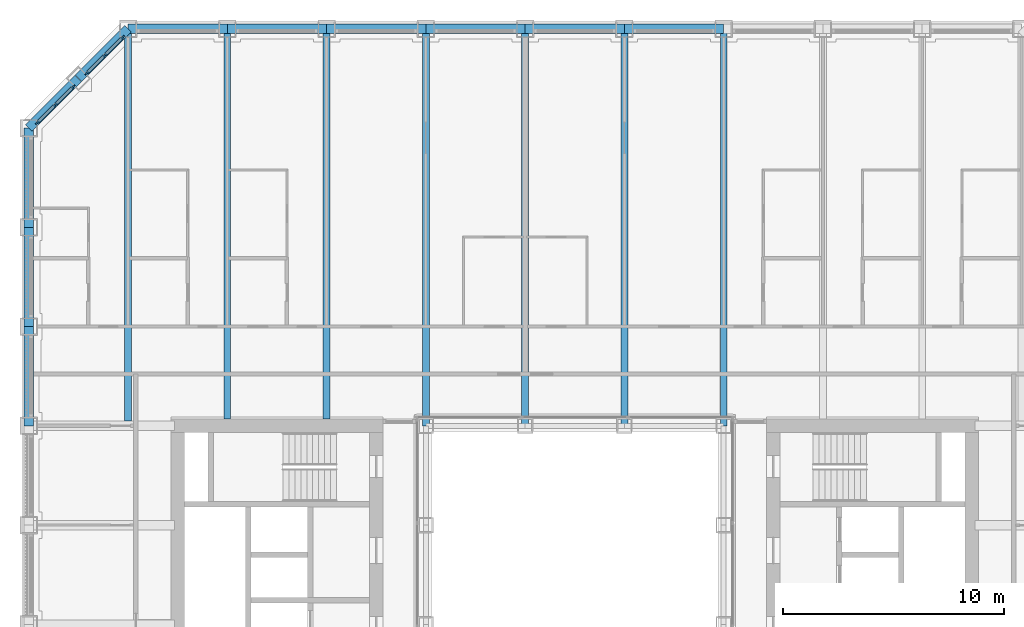
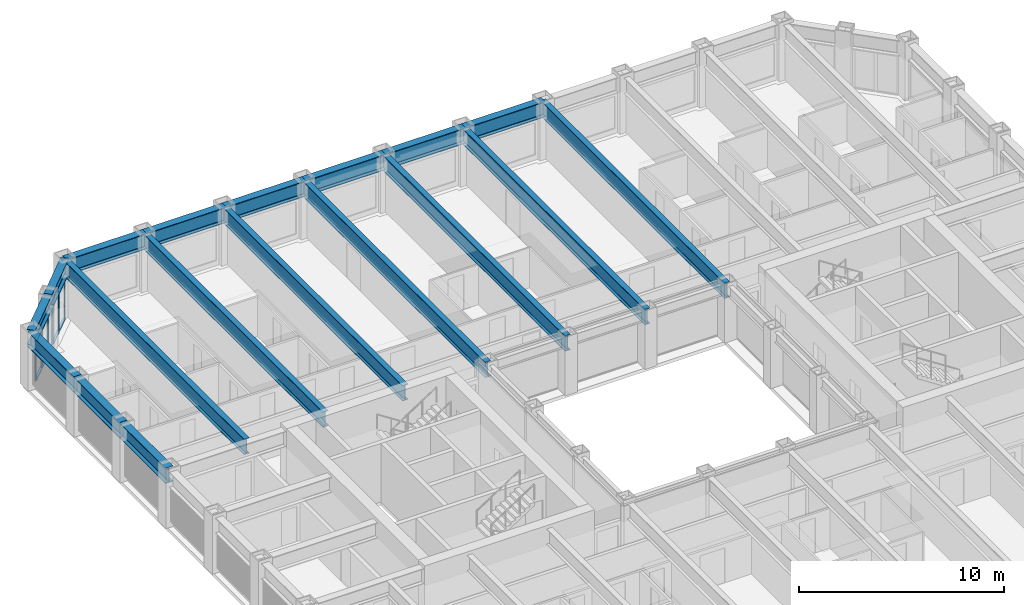
# One storey, part 6 of 21: 18 beams, 14 members, 2 elements without a shape of their own.
"""IFC4 building model written with IfcOpenShell, lengths in metres."""

from ifc_helpers import new_model, si_unit, direction, frame, origin, origin_2d, place, context, subcontext, project, spatial, rectangle, i_section, extrude, material, material_profile, profile_set, type_object, element, aggregate, save


model = new_model("IFC4")

# Units and contexts
model_context = context("Model", 3, precision=1e-05, world=origin(), true_north=direction((0.0, 1.0)))
body_context = subcontext(model_context, "Body", "Model", "MODEL_VIEW")
ifc_project = project(units=[si_unit("LENGTHUNIT", "METRE"), si_unit("AREAUNIT", "SQUARE_METRE"), si_unit("VOLUMEUNIT", "CUBIC_METRE"), si_unit("PLANEANGLEUNIT", "RADIAN"), si_unit("MASSUNIT", "GRAM", prefix="KILO")], contexts=[model_context])

# Site, building, storey
site_placement = place(None, origin())
site = spatial("IfcSite", under=ifc_project, at=site_placement, CompositionType="ELEMENT")
building_placement = place(site_placement, origin())
building = spatial("IfcBuilding", under=site, at=building_placement, Name="Msasa Ring Tower", CompositionType="ELEMENT")
storey_placement = place(building_placement, frame((0.0, 0.0, 82.5)))
storey = spatial("IfcBuildingStorey", under=building, at=storey_placement, Name="L21", CompositionType="ELEMENT", Elevation=82.5)

# Curtain wall, members
ifc_material_1 = material(Name="Aluminium curtain wall with clear glass", Category="aluminium")
curtain_wall_type = type_object("IfcCurtainWallType", Name="CW-C CHAMFER CORNER CURTAIN WALL", PredefinedType="NOTDEFINED", material=ifc_material_1)
curtain_wall_1_placement = place(storey_placement, origin())
curtain_wall_1 = element("IfcCurtainWall", 1, at=curtain_wall_1_placement, inside=storey, type_object=curtain_wall_type, Name="Chamfer corner curtain wall NW L21", PredefinedType="NOTDEFINED")
ifc_material_2 = material(Name="Aluminium mullion", Category="aluminium")
ifc_material_profile_1 = material_profile(ifc_material_2, rectangle(XDim=0.06494140625, YDim=0.179931640625, at=origin_2d()), Name="AL 65x180")
ifc_profile_set_1 = profile_set([ifc_material_profile_1], Name="Aluminium mullion")
member_type_1 = type_object("IfcMemberType", Name="CW-C MULLION 65x180", PredefinedType="MULLION", material=ifc_profile_set_1)
member_1_placement = place(storey_placement, frame((-22.73876953125, 22.119873046875, 0.0), z_axis=(0.0, 0.0, 1.0), x_axis=(0.707106781187, -0.707106781187, 0.0)))
member_1 = element("IfcMember", 2, at=member_1_placement, type_object=member_type_1, Name="CW-C mullion 1", PredefinedType="MULLION", context=body_context, shape_type="SweptSolid", body=[
    extrude(rectangle(XDim=0.06494140625, YDim=0.179931640625, at=origin_2d()), origin(), (0.0, 0.0, 1.0), 2.37890625),
])
member_2_placement = place(storey_placement, frame((-23.55419921875, 21.30419921875, 0.0), z_axis=(0.0, 0.0, 1.0), x_axis=(0.707106781187, -0.707106781187, 0.0)))
member_2 = element("IfcMember", 3, at=member_2_placement, type_object=member_type_1, Name="CW-C mullion 2", PredefinedType="MULLION", context=body_context, shape_type="SweptSolid", body=[
    extrude(rectangle(XDim=0.06494140625, YDim=0.179931640625, at=origin_2d()), origin(), (0.0, 0.0, 1.0), 2.37890625),
])
member_3_placement = place(storey_placement, frame((-24.369873046875, 20.48876953125, 0.0), z_axis=(0.0, 0.0, 1.0), x_axis=(0.707106781187, -0.707106781187, 0.0)))
member_3 = element("IfcMember", 4, at=member_3_placement, type_object=member_type_1, Name="CW-C mullion 3", PredefinedType="MULLION", context=body_context, shape_type="SweptSolid", body=[
    extrude(rectangle(XDim=0.06494140625, YDim=0.179931640625, at=origin_2d()), origin(), (0.0, 0.0, 1.0), 2.37890625),
])

curtain_wall_2_placement = place(storey_placement, origin())
curtain_wall_2 = element("IfcCurtainWall", 5, at=curtain_wall_2_placement, inside=storey, type_object=curtain_wall_type, Name="Chamfer corner curtain wall NW L21", PredefinedType="NOTDEFINED")
member_4_placement = place(storey_placement, frame((-20.48876953125, 24.369873046875, 0.0), z_axis=(0.0, 0.0, 1.0), x_axis=(0.707106781187, -0.707106781187, 0.0)))
member_4 = element("IfcMember", 6, at=member_4_placement, type_object=member_type_1, Name="CW-C mullion 1", PredefinedType="MULLION", context=body_context, shape_type="SweptSolid", body=[
    extrude(rectangle(XDim=0.06494140625, YDim=0.179931640625, at=origin_2d()), origin(), (0.0, 0.0, 1.0), 2.37890625),
])
member_5_placement = place(storey_placement, frame((-21.30419921875, 23.55419921875, 0.0), z_axis=(0.0, 0.0, 1.0), x_axis=(0.707106781187, -0.707106781187, 0.0)))
member_5 = element("IfcMember", 7, at=member_5_placement, type_object=member_type_1, Name="CW-C mullion 2", PredefinedType="MULLION", context=body_context, shape_type="SweptSolid", body=[
    extrude(rectangle(XDim=0.06494140625, YDim=0.179931640625, at=origin_2d()), origin(), (0.0, 0.0, 1.0), 2.37890625),
])
member_6_placement = place(storey_placement, frame((-22.119873046875, 22.73876953125, 0.0), z_axis=(0.0, 0.0, 1.0), x_axis=(0.707106781187, -0.707106781187, 0.0)))
member_6 = element("IfcMember", 8, at=member_6_placement, type_object=member_type_1, Name="CW-C mullion 3", PredefinedType="MULLION", context=body_context, shape_type="SweptSolid", body=[
    extrude(rectangle(XDim=0.06494140625, YDim=0.179931640625, at=origin_2d()), origin(), (0.0, 0.0, 1.0), 2.37890625),
])

# Member
ifc_material_3 = material(Name="Aluminium transom", Category="aluminium")
ifc_material_profile_2 = material_profile(ifc_material_3, rectangle(XDim=0.139892578125, YDim=0.06494140625, at=origin_2d()), Name="AL 65x140")
ifc_profile_set_2 = profile_set([ifc_material_profile_2], Name="Aluminium transom")
member_type_2 = type_object("IfcMemberType", Name="CW-C TRANSOM 65x140", PredefinedType="USERDEFINED", material=ifc_profile_set_2)
member_7_placement = place(storey_placement, frame((-22.76171875, 22.096923828125, 0.032470703125), z_axis=(-0.707106781187, -0.707106781187, 0.0), x_axis=(0.707106781187, -0.707106781187, 0.0)))
member_7 = element("IfcMember", 9, at=member_7_placement, type_object=member_type_2, Name="CW-C transom 1.1", ObjectType="TRANSOM", PredefinedType="USERDEFINED", context=body_context, shape_type="SweptSolid", body=[
    extrude(rectangle(XDim=0.139892578125, YDim=0.06494140625, at=origin_2d()), origin(), (0.0, 0.0, 1.0), 1.08837890625),
])

member_8_placement = place(storey_placement, frame((-22.76171875, 22.096923828125, 2.346435546875), z_axis=(-0.707106781187, -0.707106781187, 0.0), x_axis=(0.707106781187, -0.707106781187, 0.0)))
member_8 = element("IfcMember", 10, at=member_8_placement, type_object=member_type_2, Name="CW-C transom 1.2", ObjectType="TRANSOM", PredefinedType="USERDEFINED", context=body_context, shape_type="SweptSolid", body=[
    extrude(rectangle(XDim=0.139892578125, YDim=0.06494140625, at=origin_2d()), origin(), (0.0, 0.0, 1.0), 1.08837890625),
])

member_9_placement = place(storey_placement, frame((-23.577392578125, 21.28125, 0.032470703125), z_axis=(-0.707106781187, -0.707106781187, 0.0), x_axis=(0.707106781187, -0.707106781187, 0.0)))
member_9 = element("IfcMember", 11, at=member_9_placement, type_object=member_type_2, Name="CW-C transom 2.1", ObjectType="TRANSOM", PredefinedType="USERDEFINED", context=body_context, shape_type="SweptSolid", body=[
    extrude(rectangle(XDim=0.139892578125, YDim=0.06494140625, at=origin_2d()), origin(), (0.0, 0.0, 1.0), 1.08837890625),
])

member_10_placement = place(storey_placement, frame((-23.577392578125, 21.28125, 2.346435546875), z_axis=(-0.707106781187, -0.707106781187, 0.0), x_axis=(0.707106781187, -0.707106781187, 0.0)))
member_10 = element("IfcMember", 12, at=member_10_placement, type_object=member_type_2, Name="CW-C transom 2.2", ObjectType="TRANSOM", PredefinedType="USERDEFINED", context=body_context, shape_type="SweptSolid", body=[
    extrude(rectangle(XDim=0.139892578125, YDim=0.06494140625, at=origin_2d()), origin(), (0.0, 0.0, 1.0), 1.08837890625),
])

aggregate(curtain_wall_1, [member_1, member_2, member_3, member_7, member_8, member_9, member_10])

member_11_placement = place(storey_placement, frame((-20.51171875, 24.346923828125, 0.032470703125), z_axis=(-0.707106781187, -0.707106781187, 0.0), x_axis=(0.707106781187, -0.707106781187, 0.0)))
member_11 = element("IfcMember", 13, at=member_11_placement, type_object=member_type_2, Name="CW-C transom 1.1", ObjectType="TRANSOM", PredefinedType="USERDEFINED", context=body_context, shape_type="SweptSolid", body=[
    extrude(rectangle(XDim=0.139892578125, YDim=0.06494140625, at=origin_2d()), origin(), (0.0, 0.0, 1.0), 1.08837890625),
])

member_12_placement = place(storey_placement, frame((-20.51171875, 24.346923828125, 2.346435546875), z_axis=(-0.707106781187, -0.707106781187, 0.0), x_axis=(0.707106781187, -0.707106781187, 0.0)))
member_12 = element("IfcMember", 14, at=member_12_placement, type_object=member_type_2, Name="CW-C transom 1.2", ObjectType="TRANSOM", PredefinedType="USERDEFINED", context=body_context, shape_type="SweptSolid", body=[
    extrude(rectangle(XDim=0.139892578125, YDim=0.06494140625, at=origin_2d()), origin(), (0.0, 0.0, 1.0), 1.08837890625),
])

member_13_placement = place(storey_placement, frame((-21.327392578125, 23.53125, 0.032470703125), z_axis=(-0.707106781187, -0.707106781187, 0.0), x_axis=(0.707106781187, -0.707106781187, 0.0)))
member_13 = element("IfcMember", 15, at=member_13_placement, type_object=member_type_2, Name="CW-C transom 2.1", ObjectType="TRANSOM", PredefinedType="USERDEFINED", context=body_context, shape_type="SweptSolid", body=[
    extrude(rectangle(XDim=0.139892578125, YDim=0.06494140625, at=origin_2d()), origin(), (0.0, 0.0, 1.0), 1.08837890625),
])

member_14_placement = place(storey_placement, frame((-21.327392578125, 23.53125, 2.346435546875), z_axis=(-0.707106781187, -0.707106781187, 0.0), x_axis=(0.707106781187, -0.707106781187, 0.0)))
member_14 = element("IfcMember", 16, at=member_14_placement, type_object=member_type_2, Name="CW-C transom 2.2", ObjectType="TRANSOM", PredefinedType="USERDEFINED", context=body_context, shape_type="SweptSolid", body=[
    extrude(rectangle(XDim=0.139892578125, YDim=0.06494140625, at=origin_2d()), origin(), (0.0, 0.0, 1.0), 1.08837890625),
])

aggregate(curtain_wall_2, [member_4, member_5, member_6, member_11, member_12, member_13, member_14])

# Beams
ifc_material_4 = material(Name="Steel S355", Category="steel")
ifc_material_profile_3 = material_profile(ifc_material_4, i_section(OverallWidth=0.3076171875, OverallDepth=0.926513671875, WebThickness=0.01953125, FlangeThickness=0.031982421875, FilletRadius=0.01904296875, at=origin_2d()), Name="UB 914x305x289")
ifc_profile_set_3 = profile_set([ifc_material_profile_3], Name="Steel S355")
beam_type_1 = type_object("IfcBeamType", Name="FB3 UB 914x305x289", PredefinedType="BEAM", material=ifc_profile_set_3)
beam_placement = place(storey_placement, frame((-20.25, 24.75, 2.836669921875), z_axis=(0.0, -1.0, 0.0), x_axis=(1.0, 0.0, 0.0)))
element("IfcBeam", 17, at=beam_placement, inside=storey, type_object=beam_type_1, Name="Floor beam N-20.25 under L22", PredefinedType="BEAM", context=body_context, shape_type="SweptSolid", body=[
    extrude(i_section(OverallWidth=0.3076171875, OverallDepth=0.926513671875, WebThickness=0.01953125, FlangeThickness=0.031982421875, FilletRadius=0.01904296875, at=origin_2d()), origin(), (0.0, 0.0, 1.0), 17.789794921875),
])
for number, where, z_axis, x_axis, name in (
    (18, (-15.75, 24.75, 2.836669921875), (0.0, -1.0, 0.0), (1.0, 0.0, 0.0), "Floor beam N-15.75 under L22"),
    (19, (-11.25, 24.75, 2.836669921875), (0.0, -1.0, 0.0), (1.0, 0.0, 0.0), "Floor beam N-11.25 under L22"),
):
    element("IfcBeam", number, at=place(storey_placement, frame(where, z_axis=z_axis, x_axis=x_axis)), inside=storey, type_object=beam_type_1, Name=name, PredefinedType="BEAM", context=body_context, shape_type="SweptSolid", body=[
        extrude(i_section(OverallWidth=0.3076171875, OverallDepth=0.926513671875, WebThickness=0.01953125, FlangeThickness=0.031982421875, FilletRadius=0.01904296875, at=origin_2d()), origin(), (0.0, 0.0, 1.0), 17.699951171875),
    ])
for number, where, z_axis, x_axis, name in (
    (20, (-6.75, 24.75, 2.836669921875), (0.0, -1.0, 0.0), (1.0, 0.0, 0.0), "Floor beam N-6.75 under L22"),
    (21, (-2.25, 24.75, 2.836669921875), (0.0, -1.0, 0.0), (1.0, 0.0, 0.0), "Floor beam N-2.25 under L22"),
    (22, (2.25, 24.75, 2.836669921875), (0.0, -1.0, 0.0), (1.0, 0.0, 0.0), "Floor beam N+2.25 under L22"),
    (23, (6.75, 24.75, 2.836669921875), (0.0, -1.0, 0.0), (1.0, 0.0, 0.0), "Floor beam N+6.75 under L22"),
):
    element("IfcBeam", number, at=place(storey_placement, frame(where, z_axis=z_axis, x_axis=x_axis)), inside=storey, type_object=beam_type_1, Name=name, PredefinedType="BEAM", context=body_context, shape_type="SweptSolid", body=[
        extrude(i_section(OverallWidth=0.3076171875, OverallDepth=0.926513671875, WebThickness=0.01953125, FlangeThickness=0.031982421875, FilletRadius=0.01904296875, at=origin_2d()), origin(), (0.0, 0.0, 1.0), 18.0),
    ])
ifc_material_5 = material(Name="Steel S355", Category="steel")
ifc_material_profile_4 = material_profile(ifc_material_5, i_section(OverallWidth=0.42041015625, OverallDepth=0.9208984375, WebThickness=0.021484375, FlangeThickness=0.03662109375, FilletRadius=0.024169921875, at=origin_2d()), Name="UB 914x419x388")
ifc_profile_set_4 = profile_set([ifc_material_profile_4], Name="Steel S355")
beam_type_2 = type_object("IfcBeamType", Name="SB1 UB 914x419x388", PredefinedType="SPANDREL", material=ifc_profile_set_4)
for number, where, z_axis, x_axis, name in (
    (24, (6.75, 24.75, 2.839599609375), (-1.0, 0.0, 0.0), (0.0, -1.0, 0.0), "Spandrel N+6.75 to N+2.25 under L22"),
    (25, (2.25, 24.75, 2.839599609375), (-1.0, 0.0, 0.0), (0.0, -1.0, 0.0), "Spandrel N+2.25 to N-2.25 under L22"),
    (26, (-2.25, 24.75, 2.839599609375), (-1.0, 0.0, 0.0), (0.0, -1.0, 0.0), "Spandrel N-2.25 to N-6.75 under L22"),
    (27, (-6.75, 24.75, 2.839599609375), (-1.0, 0.0, 0.0), (0.0, -1.0, 0.0), "Spandrel N-6.75 to N-11.25 under L22"),
    (28, (-11.25, 24.75, 2.839599609375), (-1.0, 0.0, 0.0), (0.0, -1.0, 0.0), "Spandrel N-11.25 to N-15.75 under L22"),
    (29, (-15.75, 24.75, 2.839599609375), (-1.0, 0.0, 0.0), (0.0, -1.0, 0.0), "Spandrel N-15.75 to N-20.25 under L22"),
):
    element("IfcBeam", number, at=place(storey_placement, frame(where, z_axis=z_axis, x_axis=x_axis)), inside=storey, type_object=beam_type_2, Name=name, PredefinedType="SPANDREL", context=body_context, shape_type="SweptSolid", body=[
        extrude(i_section(OverallWidth=0.42041015625, OverallDepth=0.9208984375, WebThickness=0.021484375, FlangeThickness=0.03662109375, FilletRadius=0.024169921875, at=origin_2d()), origin(), (0.0, 0.0, 1.0), 4.5),
    ])
for number, where, z_axis, x_axis, name in (
    (30, (-20.25, 24.75, 2.839599609375), (-0.707106781187, -0.707106781187, 0.0), (0.707106781187, -0.707106781187, 0.0), "Spandrel N-20.25 to NW under L22"),
    (31, (-22.5, 22.5, 2.839599609375), (-0.707106781187, -0.707106781187, 0.0), (0.707106781187, -0.707106781187, 0.0), "Spandrel NW to W+20.25 under L22"),
):
    element("IfcBeam", number, at=place(storey_placement, frame(where, z_axis=z_axis, x_axis=x_axis)), inside=storey, type_object=beam_type_2, Name=name, PredefinedType="SPANDREL", context=body_context, shape_type="SweptSolid", body=[
        extrude(i_section(OverallWidth=0.42041015625, OverallDepth=0.9208984375, WebThickness=0.021484375, FlangeThickness=0.03662109375, FilletRadius=0.024169921875, at=origin_2d()), origin(), (0.0, 0.0, 1.0), 3.181884765625),
    ])
for number, where, z_axis, x_axis, name in (
    (32, (-24.75, 20.25, 2.839599609375), (0.0, -1.0, 0.0), (1.0, 0.0, 0.0), "Spandrel W+20.25 to W+15.75 under L22"),
    (33, (-24.75, 15.75, 2.839599609375), (0.0, -1.0, 0.0), (1.0, 0.0, 0.0), "Spandrel W+15.75 to W+11.25 under L22"),
    (34, (-24.75, 11.25, 2.839599609375), (0.0, -1.0, 0.0), (1.0, 0.0, 0.0), "Spandrel W+11.25 to W+6.75 under L22"),
):
    element("IfcBeam", number, at=place(storey_placement, frame(where, z_axis=z_axis, x_axis=x_axis)), inside=storey, type_object=beam_type_2, Name=name, PredefinedType="SPANDREL", context=body_context, shape_type="SweptSolid", body=[
        extrude(i_section(OverallWidth=0.42041015625, OverallDepth=0.9208984375, WebThickness=0.021484375, FlangeThickness=0.03662109375, FilletRadius=0.024169921875, at=origin_2d()), origin(), (0.0, 0.0, 1.0), 4.5),
    ])

save(model, "model.ifc")
